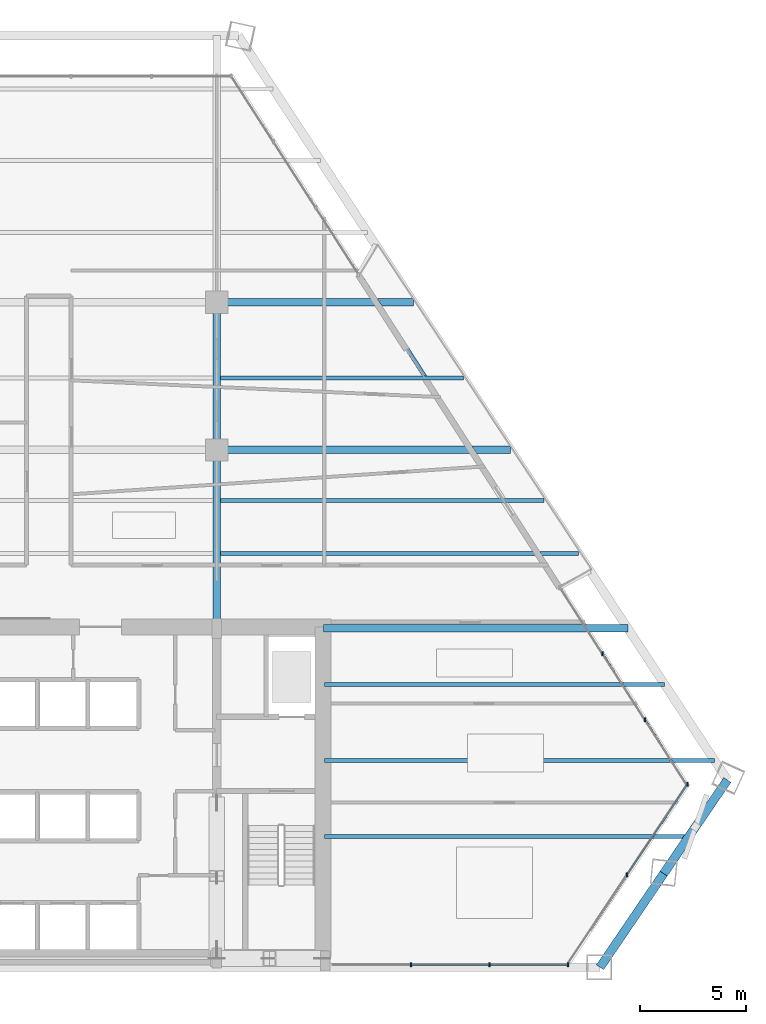
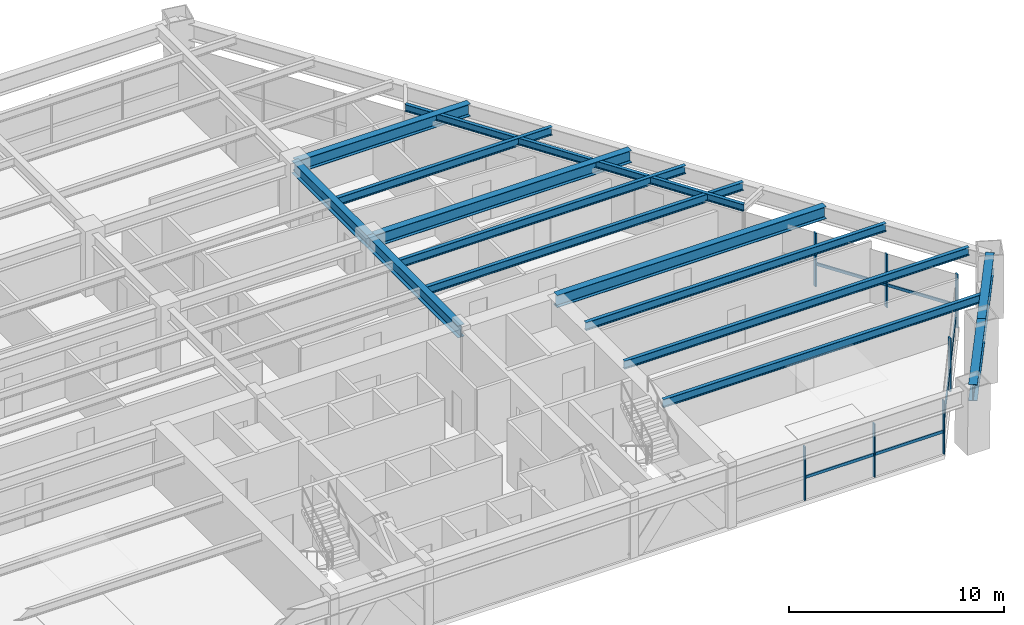
# One storey, part 6 of 15: 14 beams, 13 members, 3 elements without a shape of their own.
"""IFC4 building model written with IfcOpenShell, lengths in metres."""

import ifcopenshell
import ifcopenshell.guid

model = None  # the IFC model being written
_history = None  # IfcOwnerHistory: only IFC2X3 demands one
_inside = {}  # id of a spatial element -> (the spatial element, [elements in it])
_under = {}  # id of a project, library or spatial element -> (it, [spatial elements below it])
_declared = {}  # id of a project -> (the project, [libraries it declares])
_typed = {}  # id of a type object -> (the type object, [elements of that type])
_made_of = {}  # id of a material, layer set ... -> (it, [elements and type objects made of it])


def new_model(schema):
    """Start an empty IFC model of exactly this schema.

    Asked for "IFC4X3", IfcOpenShell would pick the latest addendum, in which some entities
    have other attributes; the version numbers below select the first issue.
    IFC2X3 requires an IfcOwnerHistory on every rooted entity: one is made here for all.
    """
    global model, _history
    if schema == "IFC4X3":
        model = ifcopenshell.file(schema_version=(4, 3, 0, 0))
    else:
        model = ifcopenshell.file(schema=schema)
    _inside.clear()
    _under.clear()
    _declared.clear()
    _typed.clear()
    _made_of.clear()
    _history = None
    if model.schema == "IFC2X3":
        org = make("IfcOrganization", Name="unknown")
        user = make(
            "IfcPersonAndOrganization",
            ThePerson=make("IfcPerson", FamilyName="unknown"),
            TheOrganization=org,
        )
        app = make(
            "IfcApplication",
            ApplicationDeveloper=org,
            Version="unknown",
            ApplicationFullName="unknown",
            ApplicationIdentifier="unknown",
        )
        _history = make(
            "IfcOwnerHistory",
            OwningUser=user,
            OwningApplication=app,
            ChangeAction="ADDED",
            CreationDate=0,
        )
    return model


def make(cls, **values):
    """One entity of the class cls with the attributes given. An attribute that is None is left unset."""
    return model.create_entity(
        cls, **{name: value for name, value in values.items() if value is not None}
    )


def rooted(cls, **values):
    """An entity with a GlobalId (a new one), such as an element, a storey or a relation."""
    return make(cls, GlobalId=ifcopenshell.guid.new(), OwnerHistory=_history, **values)


def si_unit(unit_type, name, prefix=None):
    """IfcSIUnit, for example si_unit("LENGTHUNIT", "METRE", prefix="MILLI")."""
    return make("IfcSIUnit", UnitType=unit_type, Prefix=prefix, Name=name)


def assignment(units):
    """IfcUnitAssignment: the units of a project."""
    return None if units is None else make("IfcUnitAssignment", Units=units)


def point(xyz):
    """IfcCartesianPoint."""
    return None if xyz is None else make("IfcCartesianPoint", Coordinates=xyz)


def direction(xyz):
    """IfcDirection."""
    return None if xyz is None else make("IfcDirection", DirectionRatios=xyz)


def frame(location, z_axis=None, x_axis=None):
    """IfcAxis2Placement3D, a coordinate frame: its origin and axes. An axis left out is left unset."""
    return make(
        "IfcAxis2Placement3D",
        Location=point(location),
        Axis=direction(z_axis),
        RefDirection=direction(x_axis),
    )


def frame_2d(location, x_axis=None):
    """IfcAxis2Placement2D, a coordinate frame in the plane: its origin and x axis."""
    return make(
        "IfcAxis2Placement2D", Location=point(location), RefDirection=direction(x_axis)
    )


def origin():
    """The frame at (0, 0, 0) with its axes left unset."""
    return frame((0.0, 0.0, 0.0))


def origin_2d():
    """The frame at (0, 0) in the plane with its x axis left unset."""
    return frame_2d((0.0, 0.0))


def place(relative_to, where):
    """IfcLocalPlacement: puts the frame where relative to a parent placement (None: the world)."""
    return make(
        "IfcLocalPlacement", PlacementRelTo=relative_to, RelativePlacement=where
    )


def context(
    kind, dimensions, precision=None, world=None, true_north=None, identifier=None
):
    """IfcGeometricRepresentationContext, for example the 3D "Model" context."""
    return make(
        "IfcGeometricRepresentationContext",
        ContextIdentifier=identifier,
        ContextType=kind,
        CoordinateSpaceDimension=dimensions,
        Precision=precision,
        WorldCoordinateSystem=world,
        TrueNorth=true_north,
    )


def subcontext(parent, identifier, kind, view, scale=None):
    """IfcGeometricRepresentationSubContext, for example "Body" below "Model"."""
    return make(
        "IfcGeometricRepresentationSubContext",
        ContextIdentifier=identifier,
        ContextType=kind,
        ParentContext=parent,
        TargetScale=scale,
        TargetView=view,
    )


def project(units=None, contexts=None):
    """IfcProject with its units and contexts."""
    return rooted(
        "IfcProject",
        Name="project",
        RepresentationContexts=contexts,
        UnitsInContext=assignment(units),
    )


def spatial(cls, under=None, at=None, **own):
    """A site, building, storey or space (cls), placed at a placement, below another one or the project."""
    s = rooted(cls, ObjectPlacement=at, **own)
    if under is not None:
        _under.setdefault(under.id(), (under, []))[1].append(s)
    return s


def profile(cls, at=None, kind="AREA", **sizes):
    """A parametric profile (cls). Its sizes go by their IFC names, for example OverallWidth=200.0."""
    return make(cls, ProfileType=kind, Position=at, **sizes)


def rectangle(**sizes):
    """IfcRectangleProfileDef."""
    return profile("IfcRectangleProfileDef", **sizes)


def i_section(**sizes):
    """IfcIShapeProfileDef."""
    return profile("IfcIShapeProfileDef", **sizes)


def extrude(swept, where, along, depth):
    """IfcExtrudedAreaSolid: the profile swept, set in the frame where, extruded along a direction by depth."""
    return make(
        "IfcExtrudedAreaSolid",
        SweptArea=swept,
        Position=where,
        ExtrudedDirection=direction(along),
        Depth=depth,
    )


def shape(context_of_items, identifier, shape_type, items):
    """IfcShapeRepresentation: the items that make up one representation, for example the "Body"."""
    return make(
        "IfcShapeRepresentation",
        ContextOfItems=context_of_items,
        RepresentationIdentifier=identifier,
        RepresentationType=shape_type,
        Items=items,
    )


def source(mapping_origin, context_of_items, identifier, shape_type, items):
    """IfcRepresentationMap: a shape defined once, which mapped items show again and again."""
    return make(
        "IfcRepresentationMap",
        MappingOrigin=mapping_origin,
        MappedRepresentation=shape(context_of_items, identifier, shape_type, items),
    )


def transform(
    local_origin,
    x_axis=None,
    y_axis=None,
    z_axis=None,
    scale=None,
    scale2=None,
    scale3=None,
    uniform=True,
):
    """IfcCartesianTransformationOperator3D, or its non-uniform kind. x_axis, y_axis, z_axis: its Axis1, 2, 3."""
    if uniform:
        return make(
            "IfcCartesianTransformationOperator3D",
            Axis1=direction(x_axis),
            Axis2=direction(y_axis),
            LocalOrigin=point(local_origin),
            Scale=scale,
            Axis3=direction(z_axis),
        )
    return make(
        "IfcCartesianTransformationOperator3DnonUniform",
        Axis1=direction(x_axis),
        Axis2=direction(y_axis),
        LocalOrigin=point(local_origin),
        Scale=scale,
        Axis3=direction(z_axis),
        Scale2=scale2,
        Scale3=scale3,
    )


def mapped(mapping_source, mapping_target):
    """IfcMappedItem: shows the shape of a source again, moved by a transform."""
    return make(
        "IfcMappedItem", MappingSource=mapping_source, MappingTarget=mapping_target
    )


def material(Name=None, Category=None):
    """IfcMaterial."""
    return make("IfcMaterial", Name=Name, Category=Category)


def material_profile(
    of_material, cross_section, Name=None, Category=None, Priority=None
):
    """IfcMaterialProfile: a cross section and its material."""
    return make(
        "IfcMaterialProfile",
        Name=Name,
        Material=of_material,
        Profile=cross_section,
        Priority=Priority,
        Category=Category,
    )


def profile_set(profiles, Name=None, composite=None):
    """IfcMaterialProfileSet."""
    return make(
        "IfcMaterialProfileSet",
        Name=Name,
        MaterialProfiles=profiles,
        CompositeProfile=composite,
    )


def made_of(thing, what):
    """Note that an element or type object is made of a material, layer set ...; save() writes the relation."""
    if what is not None:
        _made_of.setdefault(what.id(), (what, []))[1].append(thing)
    return thing


def type_object(cls, material=None, **own):
    """A type object (cls), such as IfcWallType, which elements share."""
    return made_of(rooted(cls, **own), material)


def type_shapes(of_type, sources):
    """Give a type object the sources (RepresentationMaps) that its elements show as mapped items."""
    of_type.RepresentationMaps = sources


def element(
    cls,
    number,
    at=None,
    inside=None,
    cuts=None,
    type_object=None,
    material=None,
    context=None,
    identifier="Body",
    shape_type=None,
    held_by="IfcProductDefinitionShape",
    body=None,
    shapes=None,
    **own,
):
    """One element of the class cls, such as IfcWall. Its Tag is "e" and its number.

    at: its placement. inside: the storey or other place that contains it. cuts: it is an
    opening in that element (IfcRelVoidsElement). A single representation is given by context,
    identifier, shape_type and body (its items); several are given by shapes. held_by: the class
    of the entity that holds the representations. save() writes the other relations.
    """
    e = rooted(cls, Tag="e%d" % number, ObjectPlacement=at, **own)
    if body is not None:
        shapes = [shape(context, identifier, shape_type, body)]
    if shapes is not None:
        e.Representation = make(held_by, Representations=shapes)
    if inside is not None:
        _inside.setdefault(inside.id(), (inside, []))[1].append(e)
    if cuts is not None:
        rooted(
            "IfcRelVoidsElement", RelatingBuildingElement=cuts, RelatedOpeningElement=e
        )
    if type_object is not None:
        _typed.setdefault(type_object.id(), (type_object, []))[1].append(e)
    return made_of(e, material)


def aggregate(whole, parts):
    """IfcRelAggregates: a whole, such as a stair, and the parts it consists of."""
    return rooted("IfcRelAggregates", RelatingObject=whole, RelatedObjects=parts)


def save(model, path):
    """Write the relations noted so far, then the file.

    IfcRelAggregates (storeys below a building ...), IfcRelContainedInSpatialStructure (elements
    in a storey), IfcRelDefinesByType, IfcRelAssociatesMaterial and IfcRelDeclares: one each for
    every whole, place, type object, material and project.
    """
    for whole, parts in _under.values():
        aggregate(whole, parts)
    for where, things in _inside.values():
        rooted(
            "IfcRelContainedInSpatialStructure",
            RelatedElements=things,
            RelatingStructure=where,
        )
    for kind, things in _typed.values():
        rooted("IfcRelDefinesByType", RelatedObjects=things, RelatingType=kind)
    for what, things in _made_of.values():
        rooted("IfcRelAssociatesMaterial", RelatedObjects=things, RelatingMaterial=what)
    for by, libraries in _declared.values():
        rooted("IfcRelDeclares", RelatingContext=by, RelatedDefinitions=libraries)
    model.write(path)


model = new_model("IFC4")

# Units and contexts
model_context = context("Model", 3, precision=1e-05, world=origin(), true_north=direction((0.0, 1.0)))
body_context = subcontext(model_context, "Body", "Model", "MODEL_VIEW")
ifc_project = project(units=[si_unit("LENGTHUNIT", "METRE"), si_unit("AREAUNIT", "SQUARE_METRE"), si_unit("VOLUMEUNIT", "CUBIC_METRE"), si_unit("PLANEANGLEUNIT", "RADIAN"), si_unit("MASSUNIT", "GRAM", prefix="KILO")], contexts=[model_context])

# Site, building, storey
site_placement = place(None, origin())
site = spatial("IfcSite", under=ifc_project, at=site_placement, CompositionType="ELEMENT")
building_placement = place(site_placement, origin())
building = spatial("IfcBuilding", under=site, at=building_placement, Name="Varnakhor Terracotta Tower", CompositionType="ELEMENT")
storey_placement = place(building_placement, frame((0.0, 0.0, 109.89990234375)))
storey = spatial("IfcBuildingStorey", under=building, at=storey_placement, Name="L27", CompositionType="ELEMENT", Elevation=109.89990234375)

# Beams
ifc_material_1 = material(Name="Steel S355", Category="steel")
ifc_material_profile_1 = material_profile(ifc_material_1, i_section(OverallWidth=0.35498046875, OverallDepth=0.695068359375, WebThickness=0.014892578125, FlangeThickness=0.02490234375, FilletRadius=0.01806640625, at=origin_2d()), Name="W27X146")
ifc_profile_set_1 = profile_set([ifc_material_profile_1], Name="Steel S355")
beam_type_1 = type_object("IfcBeamType", Name="BM-W27X146", PredefinedType="BEAM", material=ifc_profile_set_1)
shared_shape_1 = source(origin(), body_context, "Body", "SweptSolid", [
    extrude(i_section(OverallWidth=0.35498046875, OverallDepth=0.695068359375, WebThickness=0.014892578125, FlangeThickness=0.02490234375, FilletRadius=0.01806640625, at=origin_2d()), origin(), (0.0, 0.0, 1.0), 8.449951171875),
])
type_shapes(beam_type_1, [shared_shape_1])
beam_1_placement = place(storey_placement, frame((5.5, 16.050048828125, 3.1025390625), z_axis=(0.0, 1.0, 0.0), x_axis=(-1.0, 0.0, 0.0)))
element("IfcBeam", 1, at=beam_1_placement, inside=storey, type_object=beam_type_1, Name="L27 Primary Girder NS1-E", PredefinedType="BEAM", context=body_context, shape_type="MappedRepresentation", body=[
    mapped(shared_shape_1, transform((0.0, 0.0, 0.0), scale=1.0)),
])
shared_shape_2 = source(origin(), body_context, "Body", "SweptSolid", [
    extrude(i_section(OverallWidth=0.35498046875, OverallDepth=0.695068359375, WebThickness=0.014892578125, FlangeThickness=0.02490234375, FilletRadius=0.01806640625, at=origin_2d()), origin(), (0.0, 0.0, 1.0), 7.0),
])
beam_2_placement = place(storey_placement, frame((5.5, 24.5, 3.1025390625), z_axis=(0.0, 1.0, 0.0), x_axis=(-1.0, 0.0, 0.0)))
element("IfcBeam", 2, at=beam_2_placement, inside=storey, type_object=beam_type_1, Name="L27 Primary Girder NS2-E", PredefinedType="BEAM", context=body_context, shape_type="MappedRepresentation", body=[
    mapped(shared_shape_2, transform((0.0, 0.0, 0.0), scale=1.0)),
])
ifc_material_profile_2 = material_profile(ifc_material_1, i_section(OverallWidth=0.41796875, OverallDepth=0.927001953125, WebThickness=0.01904296875, FlangeThickness=0.031982421875, FilletRadius=0.01806640625, at=origin_2d()), Name="W36X231")
ifc_profile_set_2 = profile_set([ifc_material_profile_2], Name="Steel S355")
beam_type_2 = type_object("IfcBeamType", Name="BM-W36X231", PredefinedType="BEAM", material=ifc_profile_set_2)
shared_shape_3 = source(origin(), body_context, "Body", "SweptSolid", [
    extrude(i_section(OverallWidth=0.41796875, OverallDepth=0.927001953125, WebThickness=0.01904296875, FlangeThickness=0.031982421875, FilletRadius=0.01806640625, at=origin_2d()), origin(), (0.0, 0.0, 1.0), 5.365966796875),
])
beam_3_placement = place(storey_placement, frame((23.64990234375, 0.0, 2.986572265625), z_axis=(0.562122093093, 0.8270542621, 0.0), x_axis=(-0.8270542621, 0.562122093093, 0.0)))
element("IfcBeam", 3, at=beam_3_placement, inside=storey, type_object=beam_type_2, Name="L27 Perimeter Spandrel 2", PredefinedType="BEAM", context=body_context, shape_type="MappedRepresentation", body=[
    mapped(shared_shape_3, transform((0.0, 0.0, 0.0), scale=1.0)),
])
shared_shape_4 = source(origin(), body_context, "Body", "SweptSolid", [
    extrude(i_section(OverallWidth=0.41796875, OverallDepth=0.927001953125, WebThickness=0.01904296875, FlangeThickness=0.031982421875, FilletRadius=0.01806640625, at=origin_2d()), origin(), (0.0, 0.0, 1.0), 5.3662109375),
])
beam_4_placement = place(storey_placement, frame((26.666259765625, 4.43798828125, 2.986572265625), z_axis=(0.56210094165, 0.827068637657, 0.0), x_axis=(-0.827068637657, 0.56210094165, 0.0)))
element("IfcBeam", 4, at=beam_4_placement, inside=storey, type_object=beam_type_2, Name="L27 Perimeter Spandrel 3", PredefinedType="BEAM", context=body_context, shape_type="MappedRepresentation", body=[
    mapped(shared_shape_4, transform((0.0, 0.0, 0.0), scale=1.0)),
])
ifc_material_profile_3 = material_profile(ifc_material_1, i_section(OverallWidth=0.179931640625, OverallDepth=0.39990234375, WebThickness=0.008544921875, FlangeThickness=0.013427734375, FilletRadius=0.01806640625, at=origin_2d()), Name="IPE400")
ifc_profile_set_3 = profile_set([ifc_material_profile_3], Name="Steel S355")
beam_type_3 = type_object("IfcBeamType", Name="JST-IPE400", PredefinedType="JOIST", material=ifc_profile_set_3)
shared_shape_5 = source(origin(), body_context, "Body", "SweptSolid", [
    extrude(i_section(OverallWidth=0.179931640625, OverallDepth=0.39990234375, WebThickness=0.008544921875, FlangeThickness=0.013427734375, FilletRadius=0.01806640625, at=origin_2d()), origin(), (0.0, 0.0, 1.0), 17.6796875),
])
beam_5_placement = place(storey_placement, frame((21.773193359375, 17.985595703125, 3.25), z_axis=(-0.540113243207, 0.841592350555, 0.0), x_axis=(-0.841592350555, -0.540113243207, 0.0)))
element("IfcBeam", 5, at=beam_5_placement, inside=storey, type_object=beam_type_3, Name="L27 Loggia Edge Beam 1", PredefinedType="JOIST", context=body_context, shape_type="MappedRepresentation", body=[
    mapped(shared_shape_5, transform((0.0, 0.0, 0.0), scale=1.0)),
])
shared_shape_6 = source(origin(), body_context, "Body", "SweptSolid", [
    extrude(i_section(OverallWidth=0.35498046875, OverallDepth=0.695068359375, WebThickness=0.014892578125, FlangeThickness=0.02490234375, FilletRadius=0.01806640625, at=origin_2d()), origin(), (0.0, 0.0, 1.0), 14.417724609375),
])
beam_6_placement = place(storey_placement, frame((10.550048828125, 16.050048828125, 3.1025390625), z_axis=(1.0, 0.0, 0.0), x_axis=(0.0, 1.0, 0.0)))
element("IfcBeam", 6, at=beam_6_placement, inside=storey, type_object=beam_type_1, Name="L27 Wing Girder E", PredefinedType="BEAM", context=body_context, shape_type="MappedRepresentation", body=[
    mapped(shared_shape_6, transform((0.0, 0.0, 0.0), scale=1.0)),
])
shared_shape_7 = source(origin(), body_context, "Body", "SweptSolid", [
    extrude(i_section(OverallWidth=0.35498046875, OverallDepth=0.695068359375, WebThickness=0.014892578125, FlangeThickness=0.02490234375, FilletRadius=0.01806640625, at=origin_2d()), origin(), (0.0, 0.0, 1.0), 13.914306640625),
])
beam_7_placement = place(storey_placement, frame((5.5, 24.5, 3.1025390625), z_axis=(1.0, 0.0, 0.0), x_axis=(0.0, 1.0, 0.0)))
element("IfcBeam", 7, at=beam_7_placement, inside=storey, type_object=beam_type_1, Name="L27 Primary Girder EW2-3", PredefinedType="BEAM", context=body_context, shape_type="MappedRepresentation", body=[
    mapped(shared_shape_7, transform((0.0, 0.0, 0.0), scale=1.0)),
])
shared_shape_8 = source(origin(), body_context, "Body", "SweptSolid", [
    extrude(i_section(OverallWidth=0.35498046875, OverallDepth=0.695068359375, WebThickness=0.014892578125, FlangeThickness=0.02490234375, FilletRadius=0.01806640625, at=origin_2d()), origin(), (0.0, 0.0, 1.0), 9.313720703125),
])
beam_8_placement = place(storey_placement, frame((5.5, 31.5, 3.1025390625), z_axis=(1.0, 0.0, 0.0), x_axis=(0.0, 1.0, 0.0)))
element("IfcBeam", 8, at=beam_8_placement, inside=storey, type_object=beam_type_1, Name="L27 Primary Girder EW3-3", PredefinedType="BEAM", context=body_context, shape_type="MappedRepresentation", body=[
    mapped(shared_shape_8, transform((0.0, 0.0, 0.0), scale=1.0)),
])
ifc_material_profile_4 = material_profile(ifc_material_1, i_section(OverallWidth=0.19189453125, OverallDepth=0.462890625, WebThickness=0.010498046875, FlangeThickness=0.017578125, FilletRadius=0.01806640625, at=origin_2d()), Name="W18X60")
ifc_profile_set_4 = profile_set([ifc_material_profile_4], Name="Steel S355")
beam_type_4 = type_object("IfcBeamType", Name="JST-W18X60", PredefinedType="JOIST", material=ifc_profile_set_4)
shared_shape_9 = source(origin(), body_context, "Body", "SweptSolid", [
    extrude(i_section(OverallWidth=0.19189453125, OverallDepth=0.462890625, WebThickness=0.010498046875, FlangeThickness=0.017578125, FilletRadius=0.01806640625, at=origin_2d()), origin(), (0.0, 0.0, 1.0), 17.263671875),
])
beam_9_placement = place(storey_placement, frame((10.60009765625, 6.199951171875, 3.218505859375), z_axis=(1.0, 0.0, 0.0), x_axis=(0.0, 1.0, 0.0)))
element("IfcBeam", 9, at=beam_9_placement, inside=storey, type_object=beam_type_4, Name="L27 Floor Joist E1", PredefinedType="JOIST", context=body_context, shape_type="MappedRepresentation", body=[
    mapped(shared_shape_9, transform((0.0, 0.0, 0.0), scale=1.0)),
])
shared_shape_10 = source(origin(), body_context, "Body", "SweptSolid", [
    extrude(i_section(OverallWidth=0.19189453125, OverallDepth=0.462890625, WebThickness=0.010498046875, FlangeThickness=0.017578125, FilletRadius=0.01806640625, at=origin_2d()), origin(), (0.0, 0.0, 1.0), 18.475341796875),
])
beam_10_placement = place(storey_placement, frame((10.60009765625, 9.800048828125, 3.218505859375), z_axis=(1.0, 0.0, 0.0), x_axis=(0.0, 1.0, 0.0)))
element("IfcBeam", 10, at=beam_10_placement, inside=storey, type_object=beam_type_4, Name="L27 Floor Joist E2", PredefinedType="JOIST", context=body_context, shape_type="MappedRepresentation", body=[
    mapped(shared_shape_10, transform((0.0, 0.0, 0.0), scale=1.0)),
])
shared_shape_11 = source(origin(), body_context, "Body", "SweptSolid", [
    extrude(i_section(OverallWidth=0.19189453125, OverallDepth=0.462890625, WebThickness=0.010498046875, FlangeThickness=0.017578125, FilletRadius=0.01806640625, at=origin_2d()), origin(), (0.0, 0.0, 1.0), 16.109375),
])
beam_11_placement = place(storey_placement, frame((10.60009765625, 13.39990234375, 3.218505859375), z_axis=(1.0, 0.0, 0.0), x_axis=(0.0, 1.0, 0.0)))
element("IfcBeam", 11, at=beam_11_placement, inside=storey, type_object=beam_type_4, Name="L27 Floor Joist E3", PredefinedType="JOIST", context=body_context, shape_type="MappedRepresentation", body=[
    mapped(shared_shape_11, transform((0.0, 0.0, 0.0), scale=1.0)),
])
shared_shape_12 = source(origin(), body_context, "Body", "SweptSolid", [
    extrude(i_section(OverallWidth=0.19189453125, OverallDepth=0.462890625, WebThickness=0.010498046875, FlangeThickness=0.017578125, FilletRadius=0.01806640625, at=origin_2d()), origin(), (0.0, 0.0, 1.0), 16.9609375),
])
beam_12_placement = place(storey_placement, frame((5.673583984375, 19.60009765625, 3.218505859375), z_axis=(1.0, 0.0, 0.0), x_axis=(0.0, 1.0, 0.0)))
element("IfcBeam", 12, at=beam_12_placement, inside=storey, type_object=beam_type_4, Name="L27 Composite Floor Joist 4-3", PredefinedType="JOIST", context=body_context, shape_type="MappedRepresentation", body=[
    mapped(shared_shape_12, transform((0.0, 0.0, 0.0), scale=1.0)),
])
shared_shape_13 = source(origin(), body_context, "Body", "SweptSolid", [
    extrude(i_section(OverallWidth=0.19189453125, OverallDepth=0.462890625, WebThickness=0.010498046875, FlangeThickness=0.017578125, FilletRadius=0.01806640625, at=origin_2d()), origin(), (0.0, 0.0, 1.0), 15.318115234375),
])
beam_13_placement = place(storey_placement, frame((5.673583984375, 22.10009765625, 3.218505859375), z_axis=(1.0, 0.0, 0.0), x_axis=(0.0, 1.0, 0.0)))
element("IfcBeam", 13, at=beam_13_placement, inside=storey, type_object=beam_type_4, Name="L27 Composite Floor Joist 5-3", PredefinedType="JOIST", context=body_context, shape_type="MappedRepresentation", body=[
    mapped(shared_shape_13, transform((0.0, 0.0, 0.0), scale=1.0)),
])
shared_shape_14 = source(origin(), body_context, "Body", "SweptSolid", [
    extrude(i_section(OverallWidth=0.19189453125, OverallDepth=0.462890625, WebThickness=0.010498046875, FlangeThickness=0.017578125, FilletRadius=0.01806640625, at=origin_2d()), origin(), (0.0, 0.0, 1.0), 11.506103515625),
])
beam_14_placement = place(storey_placement, frame((5.673583984375, 27.89990234375, 3.218505859375), z_axis=(1.0, 0.0, 0.0), x_axis=(0.0, 1.0, 0.0)))
element("IfcBeam", 14, at=beam_14_placement, inside=storey, type_object=beam_type_4, Name="L27 Composite Floor Joist 6-3", PredefinedType="JOIST", context=body_context, shape_type="MappedRepresentation", body=[
    mapped(shared_shape_14, transform((0.0, 0.0, 0.0), scale=1.0)),
])

# Curtain wall, members
ifc_material_2 = material(Name="Anodised Aluminium Curtain Wall System", Category="aluminium")
curtain_wall_type = type_object("IfcCurtainWallType", Name="CW-SYS-LOW-OFFICE", PredefinedType="NOTDEFINED", material=ifc_material_2)
curtain_wall_1_placement = place(storey_placement, origin())
curtain_wall_1 = element("IfcCurtainWall", 15, at=curtain_wall_1_placement, inside=storey, type_object=curtain_wall_type, Name="L27 E Facet Curtain Wall 2", PredefinedType="NOTDEFINED")
ifc_material_3 = material(Name="Anodised Aluminium 6063-T6", Category="aluminium")
ifc_material_profile_5 = material_profile(ifc_material_3, rectangle(XDim=0.074951171875, YDim=0.18505859375, at=origin_2d()), Name="ALU MULLION 75x185")
ifc_profile_set_5 = profile_set([ifc_material_profile_5], Name="Anodised Aluminium 6063-T6")
member_type_1 = type_object("IfcMemberType", Name="CWM-02", PredefinedType="MULLION", material=ifc_profile_set_5)
shared_shape_15 = source(origin(), body_context, "Body", "SweptSolid", [
    extrude(rectangle(XDim=0.074951171875, YDim=0.18505859375, at=origin_2d()), origin(), (0.0, 0.0, 1.0), 3.030029296875),
])
type_shapes(member_type_1, [shared_shape_15])
member_1_placement = place(storey_placement, frame((23.77001953125, 14.843505859375, 0.0), z_axis=(0.0, 0.0, 1.0), x_axis=(1.0, 0.0, 0.0)))
member_1 = element("IfcMember", 16, at=member_1_placement, type_object=member_type_1, Name="L27 E Facet Curtain Wall 2 Mullion 2", PredefinedType="MULLION", context=body_context, shape_type="MappedRepresentation", body=[
    mapped(shared_shape_15, transform((0.0, 0.0, 0.0), scale=1.0)),
])
member_2_placement = place(storey_placement, frame((25.77978515625, 11.716552734375, 0.0), z_axis=(0.0, 0.0, 1.0), x_axis=(1.0, 0.0, 0.0)))
member_2 = element("IfcMember", 17, at=member_2_placement, type_object=member_type_1, Name="L27 E Facet Curtain Wall 2 Mullion 3", PredefinedType="MULLION", context=body_context, shape_type="MappedRepresentation", body=[
    mapped(shared_shape_15, transform((0.0, 0.0, 0.0), scale=1.0)),
])

curtain_wall_2_placement = place(storey_placement, origin())
curtain_wall_2 = element("IfcCurtainWall", 18, at=curtain_wall_2_placement, inside=storey, type_object=curtain_wall_type, Name="L27 Facet Curtain Wall 4", PredefinedType="NOTDEFINED")
member_3_placement = place(storey_placement, frame((27.790283203125, 8.6708984375, 0.0), z_axis=(0.0, 0.0, 1.0), x_axis=(1.0, 0.0, 0.0)))
member_3 = element("IfcMember", 19, at=member_3_placement, type_object=member_type_1, Name="L27 Facet Curtain Wall 4 Mullion 1", PredefinedType="MULLION", context=body_context, shape_type="MappedRepresentation", body=[
    mapped(shared_shape_15, transform((0.0, 0.0, 0.0), scale=1.0)),
])
member_4_placement = place(storey_placement, frame((24.9296875, 4.381103515625, 0.0), z_axis=(0.0, 0.0, 1.0), x_axis=(1.0, 0.0, 0.0)))
member_4 = element("IfcMember", 20, at=member_4_placement, type_object=member_type_1, Name="L27 Facet Curtain Wall 4 Mullion 2", PredefinedType="MULLION", context=body_context, shape_type="MappedRepresentation", body=[
    mapped(shared_shape_15, transform((0.0, 0.0, 0.0), scale=1.0)),
])

curtain_wall_3_placement = place(storey_placement, origin())
curtain_wall_3 = element("IfcCurtainWall", 21, at=curtain_wall_3_placement, inside=storey, type_object=curtain_wall_type, Name="L27 South Wing Curtain Wall SSE", PredefinedType="NOTDEFINED")
member_5_placement = place(storey_placement, frame((22.142578125, 0.1201171875, 0.0), z_axis=(0.0, 0.0, 1.0), x_axis=(1.0, 0.0, 0.0)))
member_5 = element("IfcMember", 22, at=member_5_placement, type_object=member_type_1, Name="L27 South Wing Curtain Wall SSE Mullion 1", PredefinedType="MULLION", context=body_context, shape_type="MappedRepresentation", body=[
    mapped(shared_shape_15, transform((0.0, 0.0, 0.0), scale=1.0)),
])
member_6_placement = place(storey_placement, frame((18.418212890625, 0.1201171875, 0.0), z_axis=(0.0, 0.0, 1.0), x_axis=(1.0, 0.0, 0.0)))
member_6 = element("IfcMember", 23, at=member_6_placement, type_object=member_type_1, Name="L27 South Wing Curtain Wall SSE Mullion 2", PredefinedType="MULLION", context=body_context, shape_type="MappedRepresentation", body=[
    mapped(shared_shape_15, transform((0.0, 0.0, 0.0), scale=1.0)),
])
member_7_placement = place(storey_placement, frame((14.694091796875, 0.1201171875, 0.0), z_axis=(0.0, 0.0, 1.0), x_axis=(1.0, 0.0, 0.0)))
member_7 = element("IfcMember", 24, at=member_7_placement, type_object=member_type_1, Name="L27 South Wing Curtain Wall SSE Mullion 3", PredefinedType="MULLION", context=body_context, shape_type="MappedRepresentation", body=[
    mapped(shared_shape_15, transform((0.0, 0.0, 0.0), scale=1.0)),
])

# Member
ifc_material_profile_6 = material_profile(ifc_material_3, rectangle(XDim=0.074951171875, YDim=0.1650390625, at=origin_2d()), Name="ALU TRANSOM 75x165")
ifc_profile_set_6 = profile_set([ifc_material_profile_6], Name="Anodised Aluminium 6063-T6")
member_type_2 = type_object("IfcMemberType", Name="CWT-02", PredefinedType="USERDEFINED", material=ifc_profile_set_6)
shared_shape_16 = source(origin(), body_context, "Body", "SweptSolid", [
    extrude(rectangle(XDim=0.074951171875, YDim=0.1650390625, at=origin_2d()), origin(), (0.0, 0.0, 1.0), 3.717041015625),
])
member_8_placement = place(storey_placement, frame((23.77001953125, 14.843505859375, 1.272705078125), z_axis=(0.540677919262, -0.841229687792, 0.0), x_axis=(0.841229687792, 0.540677919262, 0.0)))
member_8 = element("IfcMember", 25, at=member_8_placement, type_object=member_type_2, Name="L27 E Facet Curtain Wall 2 Transom 2", ObjectType="TRANSOM", PredefinedType="USERDEFINED", context=body_context, shape_type="MappedRepresentation", body=[
    mapped(shared_shape_16, transform((0.0, 0.0, 0.0), scale=1.0)),
])

member_9_placement = place(storey_placement, frame((25.77978515625, 11.716552734375, 1.272705078125), z_axis=(0.540677919262, -0.841229687792, 0.0), x_axis=(0.841229687792, 0.540677919262, 0.0)))
member_9 = element("IfcMember", 26, at=member_9_placement, type_object=member_type_2, Name="L27 E Facet Curtain Wall 2 Transom 3", ObjectType="TRANSOM", PredefinedType="USERDEFINED", context=body_context, shape_type="MappedRepresentation", body=[
    mapped(shared_shape_16, transform((0.0, 0.0, 0.0), scale=1.0)),
])

aggregate(curtain_wall_1, [member_1, member_8, member_2, member_9])

shared_shape_17 = source(origin(), body_context, "Body", "SweptSolid", [
    extrude(rectangle(XDim=0.074951171875, YDim=0.1650390625, at=origin_2d()), origin(), (0.0, 0.0, 1.0), 5.156005859375),
])
member_10_placement = place(storey_placement, frame((27.790283203125, 8.6708984375, 1.272705078125), z_axis=(-0.554798534408, -0.831984727155, 0.0), x_axis=(0.831984727155, -0.554798534408, 0.0)))
member_10 = element("IfcMember", 27, at=member_10_placement, type_object=member_type_2, Name="L27 Facet Curtain Wall 4 Transom 1", ObjectType="TRANSOM", PredefinedType="USERDEFINED", context=body_context, shape_type="MappedRepresentation", body=[
    mapped(shared_shape_17, transform((0.0, 0.0, 0.0), scale=1.0)),
])

shared_shape_18 = source(origin(), body_context, "Body", "SweptSolid", [
    extrude(rectangle(XDim=0.074951171875, YDim=0.1650390625, at=origin_2d()), origin(), (0.0, 0.0, 1.0), 5.15576171875),
])
member_11_placement = place(storey_placement, frame((24.9296875, 4.381103515625, 1.272705078125), z_axis=(-0.554787614066, -0.831992009144, 0.0), x_axis=(0.831992009144, -0.554787614066, 0.0)))
member_11 = element("IfcMember", 28, at=member_11_placement, type_object=member_type_2, Name="L27 Facet Curtain Wall 4 Transom 2", ObjectType="TRANSOM", PredefinedType="USERDEFINED", context=body_context, shape_type="MappedRepresentation", body=[
    mapped(shared_shape_18, transform((0.0, 0.0, 0.0), scale=1.0)),
])

aggregate(curtain_wall_2, [member_3, member_10, member_4, member_11])

shared_shape_19 = source(origin(), body_context, "Body", "SweptSolid", [
    extrude(rectangle(XDim=0.074951171875, YDim=0.1650390625, at=origin_2d()), origin(), (0.0, 0.0, 1.0), 3.724365234375),
])
member_12_placement = place(storey_placement, frame((22.142578125, 0.1201171875, 1.272705078125), z_axis=(-1.0, 0.0, 0.0), x_axis=(0.0, -1.0, 0.0)))
member_12 = element("IfcMember", 29, at=member_12_placement, type_object=member_type_2, Name="L27 South Wing Curtain Wall SSE Transom 1", ObjectType="TRANSOM", PredefinedType="USERDEFINED", context=body_context, shape_type="MappedRepresentation", body=[
    mapped(shared_shape_19, transform((0.0, 0.0, 0.0), scale=1.0)),
])

shared_shape_20 = source(origin(), body_context, "Body", "SweptSolid", [
    extrude(rectangle(XDim=0.074951171875, YDim=0.1650390625, at=origin_2d()), origin(), (0.0, 0.0, 1.0), 3.72412109375),
])
member_13_placement = place(storey_placement, frame((18.418212890625, 0.1201171875, 1.272705078125), z_axis=(-1.0, 0.0, 0.0), x_axis=(0.0, -1.0, 0.0)))
member_13 = element("IfcMember", 30, at=member_13_placement, type_object=member_type_2, Name="L27 South Wing Curtain Wall SSE Transom 2", ObjectType="TRANSOM", PredefinedType="USERDEFINED", context=body_context, shape_type="MappedRepresentation", body=[
    mapped(shared_shape_20, transform((0.0, 0.0, 0.0), scale=1.0)),
])

aggregate(curtain_wall_3, [member_5, member_12, member_6, member_13, member_7])

save(model, "model.ifc")
